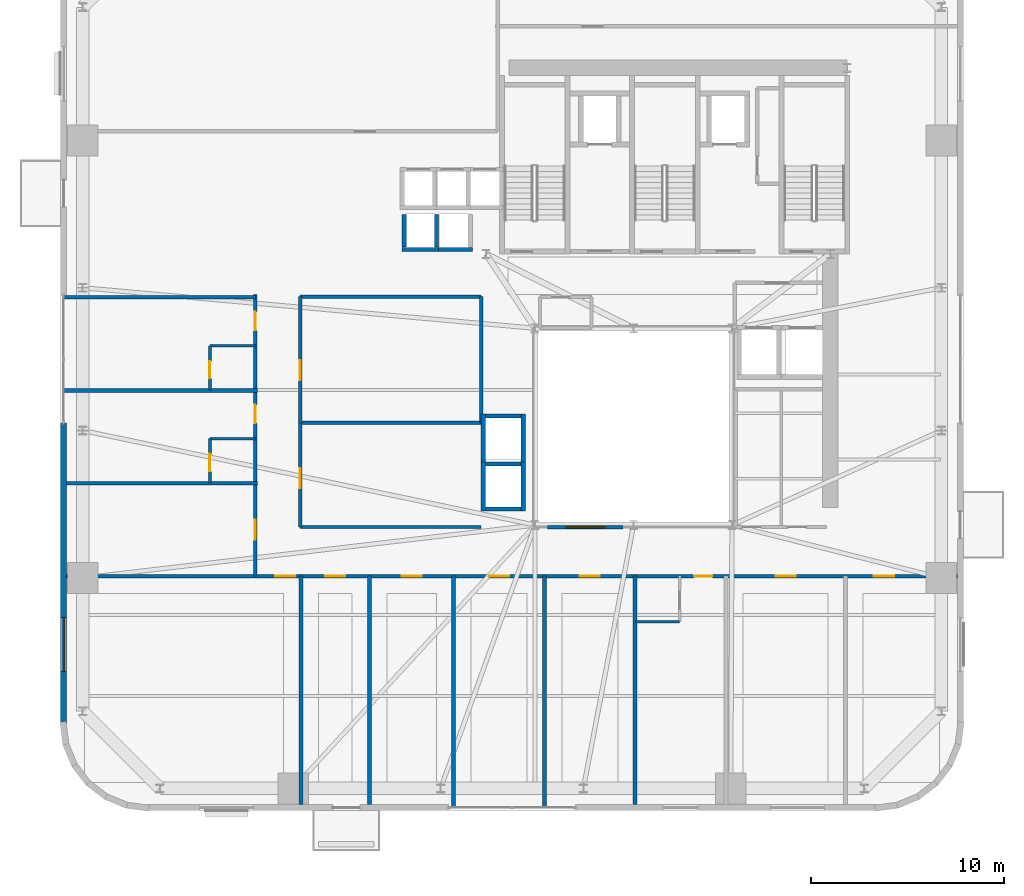
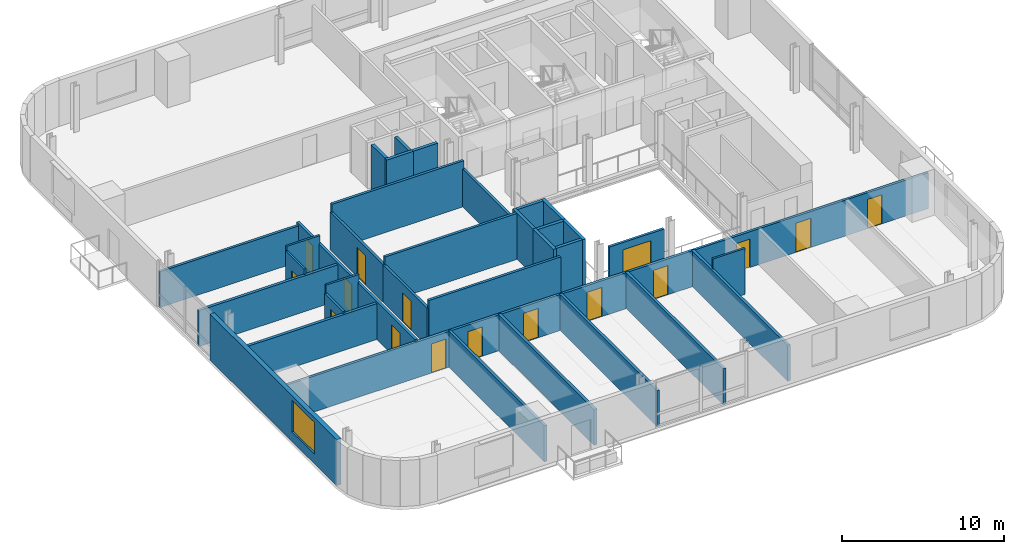
# One storey, part 6 of 11: 34 walls, 15 doors, 2 windows, 17 openings.
"""IFC4 building model written with IfcOpenShell, lengths in metres."""

from ifc_helpers import new_model, si_unit, direction, frame, frame_2d, origin, place, context, subcontext, project, spatial, rectangle, extrude, source, transform, mapped, material, layer, layer_set, type_object, element, fill, save


model = new_model("IFC4")

# Units and contexts
model_context = context("Model", 3, precision=1e-05, world=origin(), true_north=direction((0.0, 1.0)))
body_context = subcontext(model_context, "Body", "Model", "MODEL_VIEW")
ifc_project = project(units=[si_unit("LENGTHUNIT", "METRE"), si_unit("AREAUNIT", "SQUARE_METRE"), si_unit("VOLUMEUNIT", "CUBIC_METRE"), si_unit("PLANEANGLEUNIT", "RADIAN"), si_unit("MASSUNIT", "GRAM", prefix="KILO")], contexts=[model_context])

# Site, building, storey
site_placement = place(None, origin())
site = spatial("IfcSite", under=ifc_project, at=site_placement, CompositionType="ELEMENT")
building_placement = place(site_placement, origin())
building = spatial("IfcBuilding", under=site, at=building_placement, Name="Vardaveli Station Tower", CompositionType="ELEMENT")
storey_placement = place(building_placement, frame((0.0, 0.0, 155.699951171875)))
storey = spatial("IfcBuildingStorey", under=building, at=storey_placement, Name="L40", CompositionType="ELEMENT", Elevation=155.699951171875)

# Wall, opening, window
ifc_material_1 = material(Name="Precast concrete C45/55", Category="concrete")
ifc_layer_1 = layer(ifc_material_1, 0.320068359375, Name="Precast concrete C45/55")
ifc_layer_set_1 = layer_set([ifc_layer_1], Name="Precast concrete C45/55")
wall_type_1 = type_object("IfcWallType", Name="WAL-EXT-STONE-320", PredefinedType="SOLIDWALL", material=ifc_layer_set_1)
shared_shape_1 = source(origin(), body_context, "Body", "SweptSolid", [
    extrude(rectangle(XDim=15.599853515625, YDim=0.320068359375, at=frame_2d((7.7998046875, 0.0))), origin(), (0.0, 0.0, 1.0), 3.4599609375),
])
wall_1_placement = place(storey_placement, frame((6.760009765625, 21.89990234375, 0.0), z_axis=(0.0, 0.0, 1.0), x_axis=(0.0, -1.0, 0.0)))
wall_1 = element("IfcWall", 1, at=wall_1_placement, inside=storey, type_object=wall_type_1, Name="EW-L40-W2", PredefinedType="SOLIDWALL", context=body_context, shape_type="MappedRepresentation", body=[
    mapped(shared_shape_1, transform((0.0, 0.0, 0.0), scale=1.0)),
])
shared_shape_2 = source(origin(), body_context, "Body", "SweptSolid", [
    extrude(rectangle(XDim=2.800048828125, YDim=2.39990234375, at=frame_2d((1.39990234375, 1.199951171875))), frame((0.0, 0.169921875, 0.0), z_axis=(0.0, -1.0, 0.0), x_axis=(1.0, 0.0, 0.0)), (0.0, 0.0, 1.0), 0.340087890625),
])
opening_1_placement = place(wall_1_placement, frame((10.094970703125, 0.0, 0.719970703125)))
opening_1 = element("IfcOpeningElement", 2, at=opening_1_placement, cuts=wall_1, Name="Opening W-04", PredefinedType="OPENING", context=body_context, shape_type="MappedRepresentation", body=[
    mapped(shared_shape_2, transform((0.0, 0.0, 0.0), scale=1.0)),
])
ifc_material_2 = material(Name="Low-E solar-control glass", Category="glass")
window_type_1 = type_object("IfcWindowType", Name="WIN-SUITE-2800x2400", PartitioningType="SINGLE_PANEL", PredefinedType="WINDOW", material=ifc_material_2)
shared_shape_3 = source(origin(), body_context, "Body", "SweptSolid", [
    extrude(rectangle(XDim=2.800048828125, YDim=2.39990234375, at=frame_2d((1.39990234375, 1.199951171875))), frame((0.0, 0.030029296875, 0.0), z_axis=(0.0, -1.0, 0.0), x_axis=(1.0, 0.0, 0.0)), (0.0, 0.0, 1.0), 0.06005859375),
])
window_1_placement = place(opening_1_placement, origin())
window_1 = element("IfcWindow", 3, at=window_1_placement, inside=storey, type_object=window_type_1, Name="WN-L40-W2", OverallHeight=2.39990234375, OverallWidth=2.800048828125, PartitioningType="SINGLE_PANEL", PredefinedType="WINDOW", context=body_context, shape_type="MappedRepresentation", body=[
    mapped(shared_shape_3, transform((0.0, 0.0, 0.0), scale=1.0)),
])
fill(opening_1, window_1)

# Walls
ifc_material_3 = material(Name="Concrete C40/50", Category="concrete")
ifc_layer_2 = layer(ifc_material_3, 0.219970703125, Name="Concrete C40/50")
ifc_layer_set_2 = layer_set([ifc_layer_2], Name="Concrete C40/50")
wall_type_2 = type_object("IfcWallType", Name="WAL-FFLOBBY-220", PredefinedType="SOLIDWALL", material=ifc_layer_set_2)
shared_shape_4 = source(origin(), body_context, "Body", "SweptSolid", [
    extrude(rectangle(XDim=1.89013671875, YDim=0.219970703125, at=frame_2d((0.945068359375, 0.0))), origin(), (0.0, 0.0, 1.0), 3.4599609375),
])
for number, where, z_axis, x_axis, name in (
    (4, (24.304931640625, 30.889892578125, 0.0), (0.0, 0.0, 1.0), (1.0, 0.0, 0.0), "SHW-SHU-01-L40-S"),
    (5, (26.054931640625, 30.889892578125, 0.0), (0.0, 0.0, 1.0), (1.0, 0.0, 0.0), "SHW-SHU-02-L40-S"),
):
    element("IfcWall", number, at=place(storey_placement, frame(where, z_axis=z_axis, x_axis=x_axis)), inside=storey, type_object=wall_type_2, Name=name, PredefinedType="SOLIDWALL", context=body_context, shape_type="MappedRepresentation", body=[
        mapped(shared_shape_4, transform((0.0, 0.0, 0.0), scale=1.0)),
    ])
shared_shape_5 = source(origin(), body_context, "Body", "SweptSolid", [
    extrude(rectangle(XDim=1.699951171875, YDim=0.219970703125, at=frame_2d((0.85009765625, 0.0))), origin(), (0.0, 0.0, 1.0), 3.4599609375),
])
for number, where, z_axis, x_axis, name in (
    (6, (24.4150390625, 31.0, 0.0), (0.0, 0.0, 1.0), (0.0, 1.0, 0.0), "SHW-SHU-01-L40-W"),
    (7, (26.0849609375, 31.0, 0.0), (0.0, 0.0, 1.0), (0.0, 1.0, 0.0), "SHW-SHU-01-L40-E"),
):
    element("IfcWall", number, at=place(storey_placement, frame(where, z_axis=z_axis, x_axis=x_axis)), inside=storey, type_object=wall_type_2, Name=name, PredefinedType="SOLIDWALL", context=body_context, shape_type="MappedRepresentation", body=[
        mapped(shared_shape_5, transform((0.0, 0.0, 0.0), scale=1.0)),
    ])
shared_shape_6 = source(origin(), body_context, "Body", "SweptSolid", [
    extrude(rectangle(XDim=1.85009765625, YDim=0.219970703125, at=frame_2d((0.925048828125, 0.0))), origin(), (0.0, 0.0, 1.0), 3.4599609375),
])
for number, where, z_axis, x_axis, name in (
    (8, (28.625, 17.43994140625, 0.0), (0.0, 0.0, 1.0), (1.0, 0.0, 0.0), "SHW-OBS-01-L40-S"),
    (9, (28.625, 19.760009765625, 0.0), (0.0, 0.0, 1.0), (1.0, 0.0, 0.0), "SHW-OBS-01-L40-N"),
    (10, (28.625, 22.260009765625, 0.0), (0.0, 0.0, 1.0), (1.0, 0.0, 0.0), "SHW-OBS-02-L40-N"),
):
    element("IfcWall", number, at=place(storey_placement, frame(where, z_axis=z_axis, x_axis=x_axis)), inside=storey, type_object=wall_type_2, Name=name, PredefinedType="SOLIDWALL", context=body_context, shape_type="MappedRepresentation", body=[
        mapped(shared_shape_6, transform((0.0, 0.0, 0.0), scale=1.0)),
    ])
shared_shape_7 = source(origin(), body_context, "Body", "SweptSolid", [
    extrude(rectangle(XDim=2.5400390625, YDim=0.219970703125, at=frame_2d((1.27001953125, 0.0))), origin(), (0.0, 0.0, 1.0), 3.4599609375),
])
for number, where, z_axis, x_axis, name in (
    (11, (28.514892578125, 17.330078125, 0.0), (0.0, 0.0, 1.0), (0.0, 1.0, 0.0), "SHW-OBS-01-L40-W"),
    (12, (30.5849609375, 17.330078125, 0.0), (0.0, 0.0, 1.0), (0.0, 1.0, 0.0), "SHW-OBS-01-L40-E"),
    (13, (28.514892578125, 19.830078125, 0.0), (0.0, 0.0, 1.0), (0.0, 1.0, 0.0), "SHW-OBS-02-L40-W"),
    (14, (30.5849609375, 19.830078125, 0.0), (0.0, 0.0, 1.0), (0.0, 1.0, 0.0), "SHW-OBS-02-L40-E"),
):
    element("IfcWall", number, at=place(storey_placement, frame(where, z_axis=z_axis, x_axis=x_axis)), inside=storey, type_object=wall_type_2, Name=name, PredefinedType="SOLIDWALL", context=body_context, shape_type="MappedRepresentation", body=[
        mapped(shared_shape_7, transform((0.0, 0.0, 0.0), scale=1.0)),
    ])

# Wall, opening, door
ifc_material_4 = material(Name="Fire-rated gypsum stud partition")
ifc_layer_3 = layer(ifc_material_4, 0.179931640625, Name="Fire-rated gypsum stud partition")
ifc_layer_set_3 = layer_set([ifc_layer_3], Name="Fire-rated gypsum stud partition")
wall_type_3 = type_object("IfcWallType", Name="WAL-CORR-180", PredefinedType="PARTITIONING", material=ifc_layer_set_3)
shared_shape_8 = source(origin(), body_context, "Body", "SweptSolid", [
    extrude(rectangle(XDim=6.5400390625, YDim=0.179931640625, at=frame_2d((3.27001953125, 0.0))), origin(), (0.0, 0.0, 1.0), 2.85205078125),
])
wall_2_placement = place(storey_placement, frame((19.02001953125, 21.89990234375, 0.0), z_axis=(0.0, 0.0, 1.0), x_axis=(0.0, 1.0, 0.0)))
wall_2 = element("IfcWall", 15, at=wall_2_placement, inside=storey, type_object=wall_type_3, Name="W-L40-ATW2-W", PredefinedType="PARTITIONING", context=body_context, shape_type="MappedRepresentation", body=[
    mapped(shared_shape_8, transform((0.0, 0.0, 0.0), scale=1.0)),
])
shared_shape_9 = source(origin(), body_context, "Body", "SweptSolid", [
    extrude(rectangle(XDim=1.050048828125, YDim=2.199951171875, at=frame_2d((0.52490234375, 1.10009765625))), frame((0.0, 0.10009765625, 0.0), z_axis=(0.0, -1.0, 0.0), x_axis=(1.0, 0.0, 0.0)), (0.0, 0.0, 1.0), 0.199951171875),
])
opening_2_placement = place(wall_2_placement, frame((2.199951171875, 0.0, 0.0)))
opening_2 = element("IfcOpeningElement", 16, at=opening_2_placement, cuts=wall_2, Name="Opening D-05", PredefinedType="OPENING", context=body_context, shape_type="MappedRepresentation", body=[
    mapped(shared_shape_9, transform((0.0, 0.0, 0.0), scale=1.0)),
])
ifc_material_5 = material(Name="Walnut veneer acoustic fire door")
door_type_1 = type_object("IfcDoorType", Name="DR-SUITE-1050x2200", OperationType="NOTDEFINED", PredefinedType="DOOR", material=ifc_material_5)
shared_shape_10 = source(origin(), body_context, "Body", "SweptSolid", [
    extrude(rectangle(XDim=1.050048828125, YDim=2.199951171875, at=frame_2d((0.52490234375, 1.10009765625))), frame((0.0, 0.02490234375, 0.0), z_axis=(0.0, -1.0, 0.0), x_axis=(1.0, 0.0, 0.0)), (0.0, 0.0, 1.0), 0.050048828125),
])
door_1_placement = place(opening_2_placement, origin())
door_1 = element("IfcDoor", 17, at=door_1_placement, inside=storey, type_object=door_type_1, Name="D-L40-ATW2", OperationType="SINGLE_SWING_LEFT", OverallHeight=2.199951171875, OverallWidth=1.050048828125, PredefinedType="DOOR", context=body_context, shape_type="MappedRepresentation", body=[
    mapped(shared_shape_10, transform((0.0, 0.0, 0.0), scale=1.0)),
])
fill(opening_2, door_1)

# Wall
wall_3_placement = place(storey_placement, frame((28.39990234375, 21.89990234375, 0.0), z_axis=(0.0, 0.0, 1.0), x_axis=(0.0, 1.0, 0.0)))
element("IfcWall", 18, at=wall_3_placement, inside=storey, type_object=wall_type_3, Name="W-L40-ATW2-E", PredefinedType="PARTITIONING", context=body_context, shape_type="MappedRepresentation", body=[
    mapped(shared_shape_8, transform((0.0, 0.0, 0.0), scale=1.0)),
])

# Wall, opening, door
shared_shape_11 = source(origin(), body_context, "Body", "SweptSolid", [
    extrude(rectangle(XDim=5.39990234375, YDim=0.179931640625, at=frame_2d((2.699951171875, 0.0))), origin(), (0.0, 0.0, 1.0), 2.85205078125),
])
wall_4_placement = place(storey_placement, frame((19.02001953125, 16.5, 0.0), z_axis=(0.0, 0.0, 1.0), x_axis=(0.0, 1.0, 0.0)))
wall_4 = element("IfcWall", 19, at=wall_4_placement, inside=storey, type_object=wall_type_3, Name="W-L40-ATW1-W", PredefinedType="PARTITIONING", context=body_context, shape_type="MappedRepresentation", body=[
    mapped(shared_shape_11, transform((0.0, 0.0, 0.0), scale=1.0)),
])
opening_3_placement = place(wall_4_placement, frame((2.0, 0.0, 0.0)))
opening_3 = element("IfcOpeningElement", 20, at=opening_3_placement, cuts=wall_4, Name="Opening D-05", PredefinedType="OPENING", context=body_context, shape_type="MappedRepresentation", body=[
    mapped(shared_shape_9, transform((0.0, 0.0, 0.0), scale=1.0)),
])
door_2_placement = place(opening_3_placement, origin())
door_2 = element("IfcDoor", 21, at=door_2_placement, inside=storey, type_object=door_type_1, Name="D-L40-ATW1", OperationType="SINGLE_SWING_RIGHT", OverallHeight=2.199951171875, OverallWidth=1.050048828125, PredefinedType="DOOR", context=body_context, shape_type="MappedRepresentation", body=[
    mapped(shared_shape_10, transform((0.0, 0.0, 0.0), scale=1.0)),
])
fill(opening_3, door_2)

# Wall, openings, doors
shared_shape_12 = source(origin(), body_context, "Body", "SweptSolid", [
    extrude(rectangle(XDim=14.60009765625, YDim=0.179931640625, at=frame_2d((7.300048828125, 0.0))), origin(), (0.0, 0.0, 1.0), 2.85205078125),
])
wall_5_placement = place(storey_placement, frame((16.699951171875, 13.949951171875, 0.0), z_axis=(0.0, 0.0, 1.0), x_axis=(0.0, 1.0, 0.0)))
wall_5 = element("IfcWall", 22, at=wall_5_placement, inside=storey, type_object=wall_type_3, Name="W-L40-CW", PredefinedType="PARTITIONING", context=body_context, shape_type="MappedRepresentation", body=[
    mapped(shared_shape_12, transform((0.0, 0.0, 0.0), scale=1.0)),
])
opening_4_placement = place(wall_5_placement, frame((1.888427734375, 0.0, 0.0)))
opening_4 = element("IfcOpeningElement", 23, at=opening_4_placement, cuts=wall_5, Name="Opening D-05", PredefinedType="OPENING", context=body_context, shape_type="MappedRepresentation", body=[
    mapped(shared_shape_9, transform((0.0, 0.0, 0.0), scale=1.0)),
])
shared_shape_13 = source(origin(), body_context, "Body", "SweptSolid", [
    extrude(rectangle(XDim=0.949951171875, YDim=2.14990234375, at=frame_2d((0.47509765625, 1.074951171875))), frame((0.0, 0.10009765625, 0.0), z_axis=(0.0, -1.0, 0.0), x_axis=(1.0, 0.0, 0.0)), (0.0, 0.0, 1.0), 0.199951171875),
])
opening_5_placement = place(wall_5_placement, frame((7.929931640625, 0.0, 0.0)))
opening_5 = element("IfcOpeningElement", 24, at=opening_5_placement, cuts=wall_5, Name="Opening D-06", PredefinedType="OPENING", context=body_context, shape_type="MappedRepresentation", body=[
    mapped(shared_shape_13, transform((0.0, 0.0, 0.0), scale=1.0)),
])
opening_6_placement = place(wall_5_placement, frame((12.74658203125, 0.0, 0.0)))
opening_6 = element("IfcOpeningElement", 25, at=opening_6_placement, cuts=wall_5, Name="Opening D-06", PredefinedType="OPENING", context=body_context, shape_type="MappedRepresentation", body=[
    mapped(shared_shape_13, transform((0.0, 0.0, 0.0), scale=1.0)),
])
door_3_placement = place(opening_4_placement, origin())
door_3 = element("IfcDoor", 26, at=door_3_placement, inside=storey, type_object=door_type_1, Name="D-L40-GW1", OperationType="SINGLE_SWING_RIGHT", OverallHeight=2.199951171875, OverallWidth=1.050048828125, PredefinedType="DOOR", context=body_context, shape_type="MappedRepresentation", body=[
    mapped(shared_shape_10, transform((0.0, 0.0, 0.0), scale=1.0)),
])
fill(opening_4, door_3)
ifc_material_6 = material(Name="Oak veneer acoustic fire door")
door_type_2 = type_object("IfcDoorType", Name="DR-GUEST-950x2150", OperationType="NOTDEFINED", PredefinedType="DOOR", material=ifc_material_6)
shared_shape_14 = source(origin(), body_context, "Body", "SweptSolid", [
    extrude(rectangle(XDim=0.949951171875, YDim=2.14990234375, at=frame_2d((0.47509765625, 1.074951171875))), frame((0.0, 0.02490234375, 0.0), z_axis=(0.0, -1.0, 0.0), x_axis=(1.0, 0.0, 0.0)), (0.0, 0.0, 1.0), 0.050048828125),
])
door_4_placement = place(opening_5_placement, origin())
door_4 = element("IfcDoor", 27, at=door_4_placement, inside=storey, type_object=door_type_2, Name="D-L40-GW2", OperationType="SINGLE_SWING_LEFT", OverallHeight=2.14990234375, OverallWidth=0.949951171875, PredefinedType="DOOR", context=body_context, shape_type="MappedRepresentation", body=[
    mapped(shared_shape_14, transform((0.0, 0.0, 0.0), scale=1.0)),
])
fill(opening_5, door_4)
door_5_placement = place(opening_6_placement, origin())
door_5 = element("IfcDoor", 28, at=door_5_placement, inside=storey, type_object=door_type_2, Name="D-L40-GW3", OperationType="SINGLE_SWING_RIGHT", OverallHeight=2.14990234375, OverallWidth=0.949951171875, PredefinedType="DOOR", context=body_context, shape_type="MappedRepresentation", body=[
    mapped(shared_shape_14, transform((0.0, 0.0, 0.0), scale=1.0)),
])
fill(opening_6, door_5)

# Wall, opening, door
ifc_material_7 = material(Name="Moisture-resistant stud partition")
ifc_layer_4 = layer(ifc_material_7, 0.14990234375, Name="Moisture-resistant stud partition")
ifc_layer_set_4 = layer_set([ifc_layer_4], Name="Moisture-resistant stud partition")
wall_type_4 = type_object("IfcWallType", Name="WAL-WET-150", PredefinedType="PARTITIONING", material=ifc_layer_set_4)
shared_shape_15 = source(origin(), body_context, "Body", "SweptSolid", [
    extrude(rectangle(XDim=2.289794921875, YDim=0.14990234375, at=frame_2d((1.14501953125, 0.0))), origin(), (0.0, 0.0, 1.0), 2.85205078125),
])
wall_6_placement = place(storey_placement, frame((14.340087890625, 18.787109375, 0.0), z_axis=(0.0, 0.0, 1.0), x_axis=(0.0, 1.0, 0.0)))
wall_6 = element("IfcWall", 29, at=wall_6_placement, inside=storey, type_object=wall_type_4, Name="W-L40-BW2-W", PredefinedType="PARTITIONING", context=body_context, shape_type="MappedRepresentation", body=[
    mapped(shared_shape_15, transform((0.0, 0.0, 0.0), scale=1.0)),
])
shared_shape_16 = source(origin(), body_context, "Body", "SweptSolid", [
    extrude(rectangle(XDim=0.89990234375, YDim=2.10009765625, at=frame_2d((0.449951171875, 1.050048828125))), frame((0.0, 0.0849609375, 0.0), z_axis=(0.0, -1.0, 0.0), x_axis=(1.0, 0.0, 0.0)), (0.0, 0.0, 1.0), 0.169921875),
])
opening_7_placement = place(wall_6_placement, frame((0.60009765625, 0.0, 0.0)))
opening_7 = element("IfcOpeningElement", 30, at=opening_7_placement, cuts=wall_6, Name="Opening D-08", PredefinedType="OPENING", context=body_context, shape_type="MappedRepresentation", body=[
    mapped(shared_shape_16, transform((0.0, 0.0, 0.0), scale=1.0)),
])
ifc_material_8 = material(Name="Moisture-resistant oak door")
door_type_3 = type_object("IfcDoorType", Name="DR-BATH-900x2100", OperationType="NOTDEFINED", PredefinedType="DOOR", material=ifc_material_8)
shared_shape_17 = source(origin(), body_context, "Body", "SweptSolid", [
    extrude(rectangle(XDim=0.89990234375, YDim=2.10009765625, at=frame_2d((0.449951171875, 1.050048828125))), frame((0.0, 0.02490234375, 0.0), z_axis=(0.0, -1.0, 0.0), x_axis=(1.0, 0.0, 0.0)), (0.0, 0.0, 1.0), 0.050048828125),
])
door_6_placement = place(opening_7_placement, origin())
door_6 = element("IfcDoor", 31, at=door_6_placement, inside=storey, type_object=door_type_3, Name="D-L40-BW2", OperationType="SINGLE_SWING_LEFT", OverallHeight=2.10009765625, OverallWidth=0.89990234375, PredefinedType="DOOR", context=body_context, shape_type="MappedRepresentation", body=[
    mapped(shared_shape_17, transform((0.0, 0.0, 0.0), scale=1.0)),
])
fill(opening_7, door_6)

# Wall, openings, doors
shared_shape_18 = source(origin(), body_context, "Body", "SweptSolid", [
    extrude(rectangle(XDim=46.15576171875, YDim=0.179931640625, at=frame_2d((23.077880859375, 0.0))), origin(), (0.0, 0.0, 1.0), 2.7021484375),
])
wall_7_placement = place(storey_placement, frame((6.922119140625, 13.949951171875, 0.0), z_axis=(0.0, 0.0, 1.0), x_axis=(1.0, 0.0, 0.0)))
wall_7 = element("IfcWall", 32, at=wall_7_placement, inside=storey, type_object=wall_type_3, Name="W-L40-CS", PredefinedType="PARTITIONING", context=body_context, shape_type="MappedRepresentation", body=[
    mapped(shared_shape_18, transform((0.0, 0.0, 0.0), scale=1.0)),
])
opening_8_placement = place(wall_7_placement, frame((10.798095703125, 0.0, 0.0)))
opening_8 = element("IfcOpeningElement", 33, at=opening_8_placement, cuts=wall_7, Name="Opening D-05", PredefinedType="OPENING", context=body_context, shape_type="MappedRepresentation", body=[
    mapped(shared_shape_9, transform((0.0, 0.0, 0.0), scale=1.0)),
])
opening_9_placement = place(wall_7_placement, frame((13.398193359375, 0.0, 0.0)))
opening_9 = element("IfcOpeningElement", 34, at=opening_9_placement, cuts=wall_7, Name="Opening D-05", PredefinedType="OPENING", context=body_context, shape_type="MappedRepresentation", body=[
    mapped(shared_shape_9, transform((0.0, 0.0, 0.0), scale=1.0)),
])
opening_10_placement = place(wall_7_placement, frame((17.35107421875, 0.0, 0.0)))
opening_10 = element("IfcOpeningElement", 35, at=opening_10_placement, cuts=wall_7, Name="Opening D-05", PredefinedType="OPENING", context=body_context, shape_type="MappedRepresentation", body=[
    mapped(shared_shape_9, transform((0.0, 0.0, 0.0), scale=1.0)),
])
opening_11_placement = place(wall_7_placement, frame((21.88525390625, 0.0, 0.0)))
opening_11 = element("IfcOpeningElement", 36, at=opening_11_placement, cuts=wall_7, Name="Opening D-05", PredefinedType="OPENING", context=body_context, shape_type="MappedRepresentation", body=[
    mapped(shared_shape_9, transform((0.0, 0.0, 0.0), scale=1.0)),
])
opening_12_placement = place(wall_7_placement, frame((26.588134765625, 0.0, 0.0)))
opening_12 = element("IfcOpeningElement", 37, at=opening_12_placement, cuts=wall_7, Name="Opening D-05", PredefinedType="OPENING", context=body_context, shape_type="MappedRepresentation", body=[
    mapped(shared_shape_9, transform((0.0, 0.0, 0.0), scale=1.0)),
])
opening_13_placement = place(wall_7_placement, frame((32.51611328125, 0.0, 0.0)))
opening_13 = element("IfcOpeningElement", 38, at=opening_13_placement, cuts=wall_7, Name="Opening D-06", PredefinedType="OPENING", context=body_context, shape_type="MappedRepresentation", body=[
    mapped(shared_shape_13, transform((0.0, 0.0, 0.0), scale=1.0)),
])
opening_14_placement = place(wall_7_placement, frame((36.743896484375, 0.0, 0.0)))
opening_14 = element("IfcOpeningElement", 39, at=opening_14_placement, cuts=wall_7, Name="Opening D-05", PredefinedType="OPENING", context=body_context, shape_type="MappedRepresentation", body=[
    mapped(shared_shape_9, transform((0.0, 0.0, 0.0), scale=1.0)),
])
opening_15_placement = place(wall_7_placement, frame((41.827880859375, 0.0, 0.0)))
opening_15 = element("IfcOpeningElement", 40, at=opening_15_placement, cuts=wall_7, Name="Opening D-05", PredefinedType="OPENING", context=body_context, shape_type="MappedRepresentation", body=[
    mapped(shared_shape_9, transform((0.0, 0.0, 0.0), scale=1.0)),
])
door_7_placement = place(opening_8_placement, origin())
door_7 = element("IfcDoor", 41, at=door_7_placement, inside=storey, type_object=door_type_1, Name="D-L40-SA1", OperationType="SINGLE_SWING_RIGHT", OverallHeight=2.199951171875, OverallWidth=1.050048828125, PredefinedType="DOOR", context=body_context, shape_type="MappedRepresentation", body=[
    mapped(shared_shape_10, transform((0.0, 0.0, 0.0), scale=1.0)),
])
fill(opening_8, door_7)
door_8_placement = place(opening_9_placement, origin())
door_8 = element("IfcDoor", 42, at=door_8_placement, inside=storey, type_object=door_type_1, Name="D-L40-SA2", OperationType="SINGLE_SWING_LEFT", OverallHeight=2.199951171875, OverallWidth=1.050048828125, PredefinedType="DOOR", context=body_context, shape_type="MappedRepresentation", body=[
    mapped(shared_shape_10, transform((0.0, 0.0, 0.0), scale=1.0)),
])
fill(opening_9, door_8)
door_9_placement = place(opening_10_placement, origin())
door_9 = element("IfcDoor", 43, at=door_9_placement, inside=storey, type_object=door_type_1, Name="D-L40-SA3", OperationType="SINGLE_SWING_RIGHT", OverallHeight=2.199951171875, OverallWidth=1.050048828125, PredefinedType="DOOR", context=body_context, shape_type="MappedRepresentation", body=[
    mapped(shared_shape_10, transform((0.0, 0.0, 0.0), scale=1.0)),
])
fill(opening_10, door_9)
door_10_placement = place(opening_11_placement, origin())
door_10 = element("IfcDoor", 44, at=door_10_placement, inside=storey, type_object=door_type_1, Name="D-L40-SA4", OperationType="SINGLE_SWING_LEFT", OverallHeight=2.199951171875, OverallWidth=1.050048828125, PredefinedType="DOOR", context=body_context, shape_type="MappedRepresentation", body=[
    mapped(shared_shape_10, transform((0.0, 0.0, 0.0), scale=1.0)),
])
fill(opening_11, door_10)
door_11_placement = place(opening_12_placement, origin())
door_11 = element("IfcDoor", 45, at=door_11_placement, inside=storey, type_object=door_type_1, Name="D-L40-SA5", OperationType="SINGLE_SWING_RIGHT", OverallHeight=2.199951171875, OverallWidth=1.050048828125, PredefinedType="DOOR", context=body_context, shape_type="MappedRepresentation", body=[
    mapped(shared_shape_10, transform((0.0, 0.0, 0.0), scale=1.0)),
])
fill(opening_12, door_11)
door_12_placement = place(opening_14_placement, origin())
door_12 = element("IfcDoor", 46, at=door_12_placement, inside=storey, type_object=door_type_1, Name="D-L40-SA7", OperationType="SINGLE_SWING_RIGHT", OverallHeight=2.199951171875, OverallWidth=1.050048828125, PredefinedType="DOOR", context=body_context, shape_type="MappedRepresentation", body=[
    mapped(shared_shape_10, transform((0.0, 0.0, 0.0), scale=1.0)),
])
fill(opening_14, door_12)
door_13_placement = place(opening_15_placement, origin())
door_13 = element("IfcDoor", 47, at=door_13_placement, inside=storey, type_object=door_type_1, Name="D-L40-SA8", OperationType="SINGLE_SWING_LEFT", OverallHeight=2.199951171875, OverallWidth=1.050048828125, PredefinedType="DOOR", context=body_context, shape_type="MappedRepresentation", body=[
    mapped(shared_shape_10, transform((0.0, 0.0, 0.0), scale=1.0)),
])
fill(opening_15, door_13)
door_14_placement = place(opening_13_placement, origin())
door_14 = element("IfcDoor", 48, at=door_14_placement, inside=storey, type_object=door_type_2, Name="D-L40-GS6", OperationType="SINGLE_SWING_LEFT", OverallHeight=2.14990234375, OverallWidth=0.949951171875, PredefinedType="DOOR", context=body_context, shape_type="MappedRepresentation", body=[
    mapped(shared_shape_14, transform((0.0, 0.0, 0.0), scale=1.0)),
])
fill(opening_13, door_14)

# Walls
ifc_material_9 = material(Name="Acoustic twin-stud gypsum partition")
ifc_layer_5 = layer(ifc_material_9, 0.199951171875, Name="Acoustic twin-stud gypsum partition")
ifc_layer_set_5 = layer_set([ifc_layer_5], Name="Acoustic twin-stud gypsum partition")
wall_type_5 = type_object("IfcWallType", Name="WAL-PARTY-200", PredefinedType="PARTITIONING", material=ifc_layer_set_5)
shared_shape_19 = source(origin(), body_context, "Body", "SweptSolid", [
    extrude(rectangle(XDim=11.827880859375, YDim=0.199951171875, at=frame_2d((5.9140625, 0.0))), origin(), (0.0, 0.0, 1.0), 2.7021484375),
])
for number, where, z_axis, x_axis, name in (
    (49, (19.070068359375, 2.1220703125, 0.0), (0.0, 0.0, 1.0), (0.0, 1.0, 0.0), "W-L40-PS1"),
    (50, (22.610107421875, 2.1220703125, 0.0), (0.0, 0.0, 1.0), (0.0, 1.0, 0.0), "W-L40-PS2"),
    (51, (36.382080078125, 2.1220703125, 0.0), (0.0, 0.0, 1.0), (0.0, 1.0, 0.0), "W-L40-PS5"),
):
    element("IfcWall", number, at=place(storey_placement, frame(where, z_axis=z_axis, x_axis=x_axis)), inside=storey, type_object=wall_type_5, Name=name, PredefinedType="PARTITIONING", context=body_context, shape_type="MappedRepresentation", body=[
        mapped(shared_shape_19, transform((0.0, 0.0, 0.0), scale=1.0)),
    ])
shared_shape_20 = source(origin(), body_context, "Body", "SweptSolid", [
    extrude(rectangle(XDim=12.02001953125, YDim=0.199951171875, at=frame_2d((6.010009765625, 0.0))), origin(), (0.0, 0.0, 1.0), 2.7021484375),
])
for number, where, z_axis, x_axis, name in (
    (52, (26.97607421875, 1.929931640625, 0.0), (0.0, 0.0, 1.0), (0.0, 1.0, 0.0), "W-L40-PS3"),
    (53, (31.678955078125, 1.929931640625, 0.0), (0.0, 0.0, 1.0), (0.0, 1.0, 0.0), "W-L40-PS4"),
):
    element("IfcWall", number, at=place(storey_placement, frame(where, z_axis=z_axis, x_axis=x_axis)), inside=storey, type_object=wall_type_5, Name=name, PredefinedType="PARTITIONING", context=body_context, shape_type="MappedRepresentation", body=[
        mapped(shared_shape_20, transform((0.0, 0.0, 0.0), scale=1.0)),
    ])

# Wall, opening, window
shared_shape_21 = source(origin(), body_context, "Body", "SweptSolid", [
    extrude(rectangle(XDim=3.89990234375, YDim=0.179931640625, at=frame_2d((1.949951171875, 0.0))), origin(), (0.0, 0.0, 1.0), 3.001953125),
])
wall_8_placement = place(storey_placement, frame((31.85009765625, 16.47998046875, 0.0), z_axis=(0.0, 0.0, 1.0), x_axis=(1.0, 0.0, 0.0)))
wall_8 = element("IfcWall", 54, at=wall_8_placement, inside=storey, type_object=wall_type_3, Name="WAT-L40-S", PredefinedType="PARTITIONING", context=body_context, shape_type="MappedRepresentation", body=[
    mapped(shared_shape_21, transform((0.0, 0.0, 0.0), scale=1.0)),
])
shared_shape_22 = source(origin(), body_context, "Body", "SweptSolid", [
    extrude(rectangle(XDim=2.0, YDim=1.89990234375, at=frame_2d((1.0, 0.949951171875))), frame((0.0, 0.10009765625, 0.0), z_axis=(0.0, -1.0, 0.0), x_axis=(1.0, 0.0, 0.0)), (0.0, 0.0, 1.0), 0.199951171875),
])
opening_16_placement = place(wall_8_placement, frame((0.949951171875, 0.0, 0.550048828125)))
opening_16 = element("IfcOpeningElement", 55, at=opening_16_placement, cuts=wall_8, Name="Opening W-07", PredefinedType="OPENING", context=body_context, shape_type="MappedRepresentation", body=[
    mapped(shared_shape_22, transform((0.0, 0.0, 0.0), scale=1.0)),
])
ifc_material_10 = material(Name="Tempered EI 60 fire-rated glass", Category="glass")
window_type_2 = type_object("IfcWindowType", Name="WIN-ATRIUM-2000x2400", PartitioningType="SINGLE_PANEL", PredefinedType="WINDOW", material=ifc_material_10)
shared_shape_23 = source(origin(), body_context, "Body", "SweptSolid", [
    extrude(rectangle(XDim=2.0, YDim=1.89990234375, at=frame_2d((1.0, 0.949951171875))), frame((0.0, 0.030029296875, 0.0), z_axis=(0.0, -1.0, 0.0), x_axis=(1.0, 0.0, 0.0)), (0.0, 0.0, 1.0), 0.06005859375),
])
window_2_placement = place(opening_16_placement, origin())
window_2 = element("IfcWindow", 56, at=window_2_placement, inside=storey, type_object=window_type_2, Name="WNAT-L40-1", OverallHeight=1.89990234375, OverallWidth=2.0, PartitioningType="SINGLE_PANEL", PredefinedType="WINDOW", context=body_context, shape_type="MappedRepresentation", body=[
    mapped(shared_shape_23, transform((0.0, 0.0, 0.0), scale=1.0)),
])
fill(opening_16, window_2)

# Walls
shared_shape_24 = source(origin(), body_context, "Body", "SweptSolid", [
    extrude(rectangle(XDim=2.35986328125, YDim=0.14990234375, at=frame_2d((1.179931640625, 0.0))), origin(), (0.0, 0.0, 1.0), 3.4599609375),
])
for number, where, z_axis, x_axis, name in (
    (57, (14.340087890625, 21.076904296875, 0.0), (0.0, 0.0, 1.0), (1.0, 0.0, 0.0), "W-L40-BW2-N"),
    (58, (14.340087890625, 25.89306640625, 0.0), (0.0, 0.0, 1.0), (1.0, 0.0, 0.0), "W-L40-BW3-N"),
):
    element("IfcWall", number, at=place(storey_placement, frame(where, z_axis=z_axis, x_axis=x_axis)), inside=storey, type_object=wall_type_4, Name=name, PredefinedType="PARTITIONING", context=body_context, shape_type="MappedRepresentation", body=[
        mapped(shared_shape_24, transform((0.0, 0.0, 0.0), scale=1.0)),
    ])

# Wall, opening, door
shared_shape_25 = source(origin(), body_context, "Body", "SweptSolid", [
    extrude(rectangle(XDim=2.2900390625, YDim=0.14990234375, at=frame_2d((1.14501953125, 0.0))), origin(), (0.0, 0.0, 1.0), 3.1220703125),
])
wall_9_placement = place(storey_placement, frame((14.340087890625, 23.60302734375, 0.0), z_axis=(0.0, 0.0, 1.0), x_axis=(0.0, 1.0, 0.0)))
wall_9 = element("IfcWall", 59, at=wall_9_placement, inside=storey, type_object=wall_type_4, Name="W-L40-BW3-W", PredefinedType="PARTITIONING", context=body_context, shape_type="MappedRepresentation", body=[
    mapped(shared_shape_25, transform((0.0, 0.0, 0.0), scale=1.0)),
])
opening_17_placement = place(wall_9_placement, frame((0.60009765625, 0.0, 0.0)))
opening_17 = element("IfcOpeningElement", 60, at=opening_17_placement, cuts=wall_9, Name="Opening D-08", PredefinedType="OPENING", context=body_context, shape_type="MappedRepresentation", body=[
    mapped(shared_shape_16, transform((0.0, 0.0, 0.0), scale=1.0)),
])
door_15_placement = place(opening_17_placement, origin())
door_15 = element("IfcDoor", 61, at=door_15_placement, inside=storey, type_object=door_type_3, Name="D-L40-BW3", OperationType="SINGLE_SWING_RIGHT", OverallHeight=2.10009765625, OverallWidth=0.89990234375, PredefinedType="DOOR", context=body_context, shape_type="MappedRepresentation", body=[
    mapped(shared_shape_17, transform((0.0, 0.0, 0.0), scale=1.0)),
])
fill(opening_17, door_15)

# Walls
shared_shape_26 = source(origin(), body_context, "Body", "SweptSolid", [
    extrude(rectangle(XDim=9.3798828125, YDim=0.179931640625, at=frame_2d((4.68994140625, 0.0))), origin(), (0.0, 0.0, 1.0), 3.4599609375),
])
for number, where, z_axis, x_axis, name in (
    (62, (19.02001953125, 16.5, 0.0), (0.0, 0.0, 1.0), (1.0, 0.0, 0.0), "W-L40-ATW1-S"),
    (63, (19.02001953125, 21.89990234375, 0.0), (0.0, 0.0, 1.0), (1.0, 0.0, 0.0), "W-L40-ATW1-N"),
    (64, (19.02001953125, 28.43994140625, 0.0), (0.0, 0.0, 1.0), (1.0, 0.0, 0.0), "W-L40-ATW2-N"),
):
    element("IfcWall", number, at=place(storey_placement, frame(where, z_axis=z_axis, x_axis=x_axis)), inside=storey, type_object=wall_type_3, Name=name, PredefinedType="PARTITIONING", context=body_context, shape_type="MappedRepresentation", body=[
        mapped(shared_shape_26, transform((0.0, 0.0, 0.0), scale=1.0)),
    ])
shared_shape_27 = source(origin(), body_context, "Body", "SweptSolid", [
    extrude(rectangle(XDim=2.289794921875, YDim=0.14990234375, at=frame_2d((1.14501953125, 0.0))), origin(), (0.0, 0.0, 1.0), 3.4599609375),
])
wall_10_placement = place(storey_placement, frame((36.402099609375, 11.590087890625, 0.0), z_axis=(0.0, 0.0, 1.0), x_axis=(1.0, 0.0, 0.0)))
element("IfcWall", 65, at=wall_10_placement, inside=storey, type_object=wall_type_4, Name="W-L40-BS6-S", PredefinedType="PARTITIONING", context=body_context, shape_type="MappedRepresentation", body=[
    mapped(shared_shape_27, transform((0.0, 0.0, 0.0), scale=1.0)),
])
shared_shape_28 = source(origin(), body_context, "Body", "SweptSolid", [
    extrude(rectangle(XDim=9.8779296875, YDim=0.199951171875, at=frame_2d((4.93896484375, 0.0))), origin(), (0.0, 0.0, 1.0), 2.7021484375),
])
wall_11_placement = place(storey_placement, frame((6.922119140625, 18.76708984375, 0.0), z_axis=(0.0, 0.0, 1.0), x_axis=(1.0, 0.0, 0.0)))
element("IfcWall", 66, at=wall_11_placement, inside=storey, type_object=wall_type_5, Name="W-L40-PW1", PredefinedType="PARTITIONING", context=body_context, shape_type="MappedRepresentation", body=[
    mapped(shared_shape_28, transform((0.0, 0.0, 0.0), scale=1.0)),
])
shared_shape_29 = source(origin(), body_context, "Body", "SweptSolid", [
    extrude(rectangle(XDim=10.070068359375, YDim=0.199951171875, at=frame_2d((5.03515625, 0.0))), origin(), (0.0, 0.0, 1.0), 2.7021484375),
])
wall_12_placement = place(storey_placement, frame((6.72998046875, 23.5830078125, 0.0), z_axis=(0.0, 0.0, 1.0), x_axis=(1.0, 0.0, 0.0)))
element("IfcWall", 67, at=wall_12_placement, inside=storey, type_object=wall_type_5, Name="W-L40-PW2", PredefinedType="PARTITIONING", context=body_context, shape_type="MappedRepresentation", body=[
    mapped(shared_shape_29, transform((0.0, 0.0, 0.0), scale=1.0)),
])
shared_shape_30 = source(origin(), body_context, "Body", "SweptSolid", [
    extrude(rectangle(XDim=9.969970703125, YDim=0.179931640625, at=frame_2d((4.98486328125, 0.0))), origin(), (0.0, 0.0, 1.0), 2.7021484375),
])
wall_13_placement = place(storey_placement, frame((6.72998046875, 28.39990234375, 0.0), z_axis=(0.0, 0.0, 1.0), x_axis=(1.0, 0.0, 0.0)))
element("IfcWall", 68, at=wall_13_placement, inside=storey, type_object=wall_type_3, Name="W-L40-CWN", PredefinedType="PARTITIONING", context=body_context, shape_type="MappedRepresentation", body=[
    mapped(shared_shape_30, transform((0.0, 0.0, 0.0), scale=1.0)),
])

save(model, "model.ifc")
